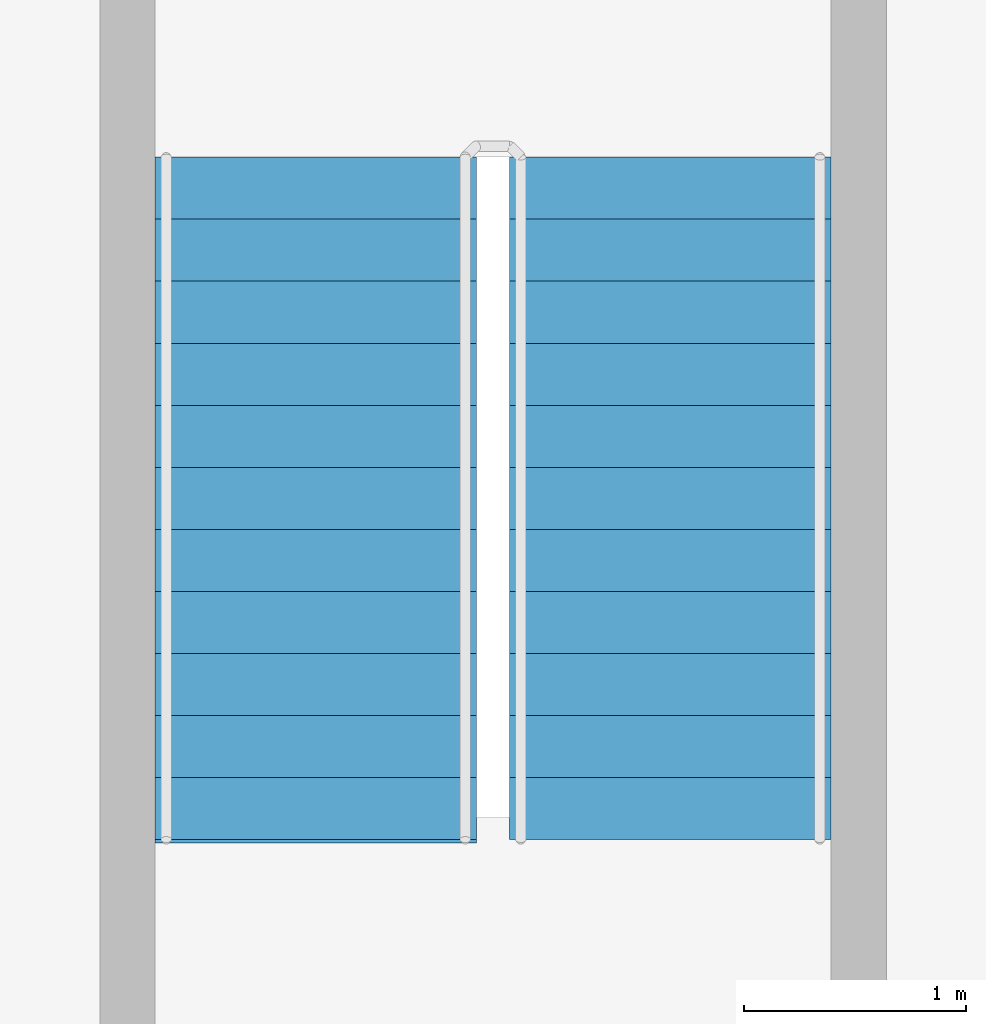
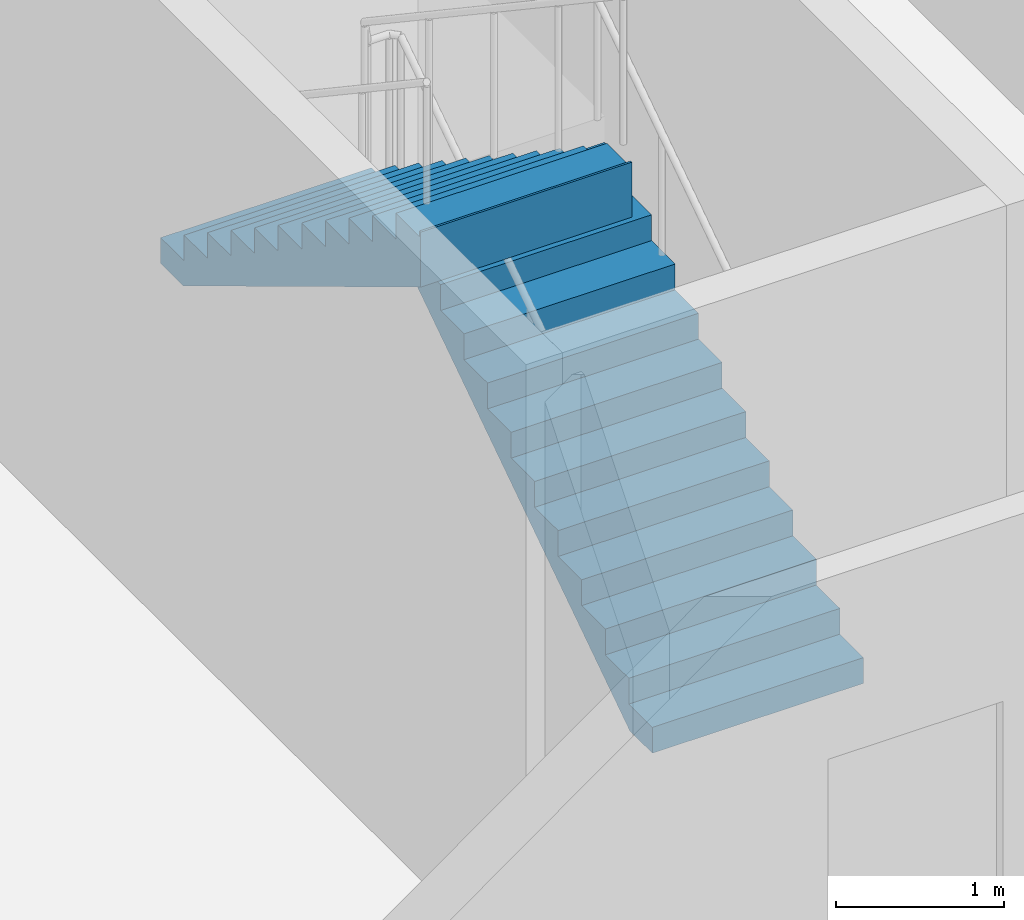
# One storey, part 15 of 18: 2 stair flights, 1 element without a shape of its own.
"""IFC4 building model written with IfcOpenShell, lengths in metres."""

from ifc_helpers import new_model, si_unit, direction, frame, origin, place, context, subcontext, project, spatial, polyline, outline, extrude, material, type_object, element, aggregate, save


model = new_model("IFC4")

# Units and contexts
model_context = context("Model", 3, precision=1e-05, world=origin(), true_north=direction((0.0, 1.0)))
body_context = subcontext(model_context, "Body", "Model", "MODEL_VIEW")
ifc_project = project(units=[si_unit("LENGTHUNIT", "METRE"), si_unit("AREAUNIT", "SQUARE_METRE"), si_unit("VOLUMEUNIT", "CUBIC_METRE"), si_unit("PLANEANGLEUNIT", "RADIAN"), si_unit("MASSUNIT", "GRAM", prefix="KILO")], contexts=[model_context])

# Site, building, storey
site_placement = place(None, origin())
site = spatial("IfcSite", under=ifc_project, at=site_placement, CompositionType="ELEMENT")
building_placement = place(site_placement, origin())
building = spatial("IfcBuilding", under=site, at=building_placement, Name="Bicima Exchange Tower", CompositionType="ELEMENT")
storey_placement = place(building_placement, frame((0.0, 0.0, 302.0)))
storey = spatial("IfcBuildingStorey", under=building, at=storey_placement, Name="L68", CompositionType="ELEMENT", Elevation=302.0)

# Stair, stair flights
ifc_material = material(Name="Concrete C50/60", Category="concrete")
stair_type = type_object("IfcStairType", Name="Exit stair", PredefinedType="HALF_TURN_STAIR", material=ifc_material)
stair_placement = place(storey_placement, origin())
stair = element("IfcStair", 1, at=stair_placement, inside=storey, type_object=stair_type, Name="L68 East end exit stair", PredefinedType="HALF_TURN_STAIR")
stair_flight_type = type_object("IfcStairFlightType", Name="Stair flight RC", PredefinedType="STRAIGHT", material=ifc_material)
stair_flight_1_placement = place(storey_placement, frame((31.25, -9.925048828125, 0.0), z_axis=(0.0, 0.0, 1.0), x_axis=(0.0, 1.0, 0.0)))
stair_flight_1 = element("IfcStairFlight", 2, at=stair_flight_1_placement, type_object=stair_flight_type, Name="ST-EE flight 1", NumberOfRisers=12, NumberOfTreads=11, PredefinedType="STRAIGHT", RiserHeight=0.1875, TreadLength=0.28, context=body_context, shape_type="SweptSolid", body=[
    extrude(outline(polyline([(0.0, 0.0), (0.0, 0.1875), (0.280029296875, 0.1875), (0.280029296875, 0.375), (0.56005859375, 0.375), (0.56005859375, 0.5625), (0.840087890625, 0.5625), (0.840087890625, 0.75), (1.1201171875, 0.75), (1.1201171875, 0.9375), (1.39990234375, 0.9375), (1.39990234375, 1.125), (1.679931640625, 1.125), (1.679931640625, 1.3125), (1.9599609375, 1.3125), (1.9599609375, 1.5), (2.239990234375, 1.5), (2.239990234375, 1.6875), (2.52001953125, 1.6875), (2.52001953125, 1.875), (2.800048828125, 1.875), (2.800048828125, 2.0625), (3.080078125, 2.0625), (3.080078125, 2.25), (3.080078125, 1.882080078125), (0.26953125, 0.0), (0.0, 0.0)])), frame((0.0, 0.72509765625, 0.0), z_axis=(0.0, -1.0, 0.0), x_axis=(1.0, 0.0, 0.0)), (0.0, 0.0, 1.0), 1.449951171875),
])
stair_flight_2_placement = place(storey_placement, frame((29.64990234375, -6.844970703125, 2.25), z_axis=(0.0, 0.0, 1.0), x_axis=(0.0, -1.0, 0.0)))
stair_flight_2 = element("IfcStairFlight", 3, at=stair_flight_2_placement, type_object=stair_flight_type, Name="ST-EE flight 2", NumberOfRisers=12, NumberOfTreads=11, PredefinedType="STRAIGHT", RiserHeight=0.1875, TreadLength=0.28, context=body_context, shape_type="SweptSolid", body=[
    extrude(outline(polyline([(0.0, 0.0), (0.0, 0.1875), (0.280029296875, 0.1875), (0.280029296875, 0.375), (0.56005859375, 0.375), (0.56005859375, 0.5625), (0.840087890625, 0.5625), (0.840087890625, 0.75), (1.1201171875, 0.75), (1.1201171875, 0.9375), (1.39990234375, 0.9375), (1.39990234375, 1.125), (1.679931640625, 1.125), (1.679931640625, 1.3125), (1.9599609375, 1.3125), (1.9599609375, 1.5), (2.239990234375, 1.5), (2.239990234375, 1.6875), (2.52001953125, 1.6875), (2.52001953125, 1.875), (2.800048828125, 1.875), (2.800048828125, 2.0625), (3.080078125, 2.0625), (3.080078125, 2.10400390625), (3.094970703125, 2.10400390625), (3.094970703125, 1.70458984375), (0.26953125, 0.0), (0.0, 0.0)])), frame((0.0, 0.72509765625, 0.0), z_axis=(0.0, -1.0, 0.0), x_axis=(1.0, 0.0, 0.0)), (0.0, 0.0, 1.0), 1.449951171875),
])
aggregate(stair, [stair_flight_1, stair_flight_2])

save(model, "model.ifc")
